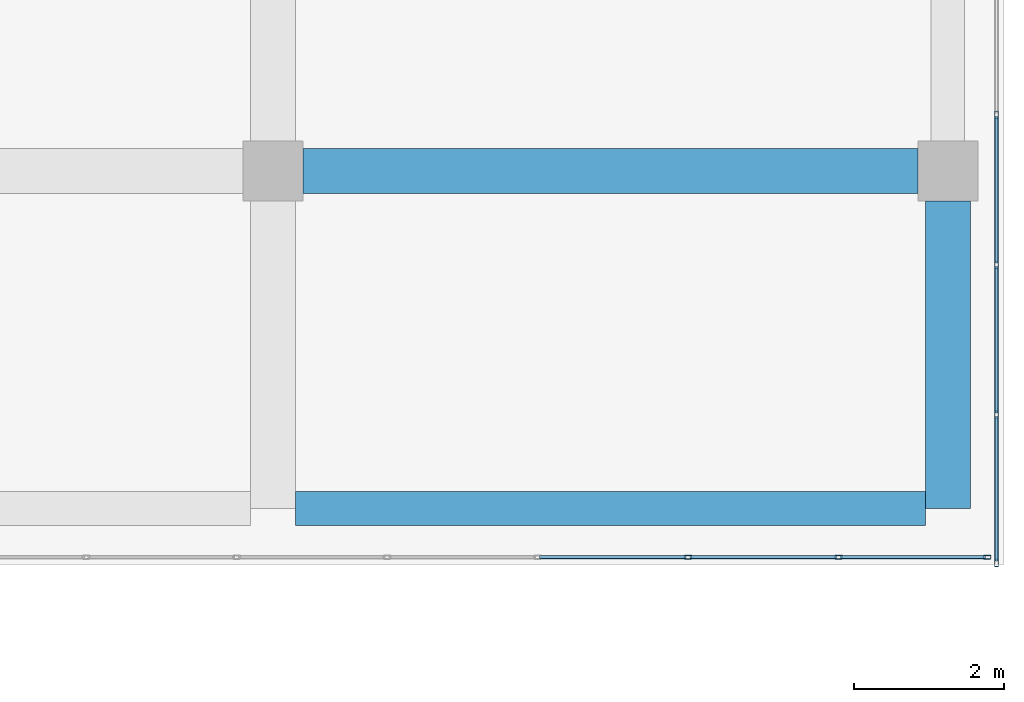
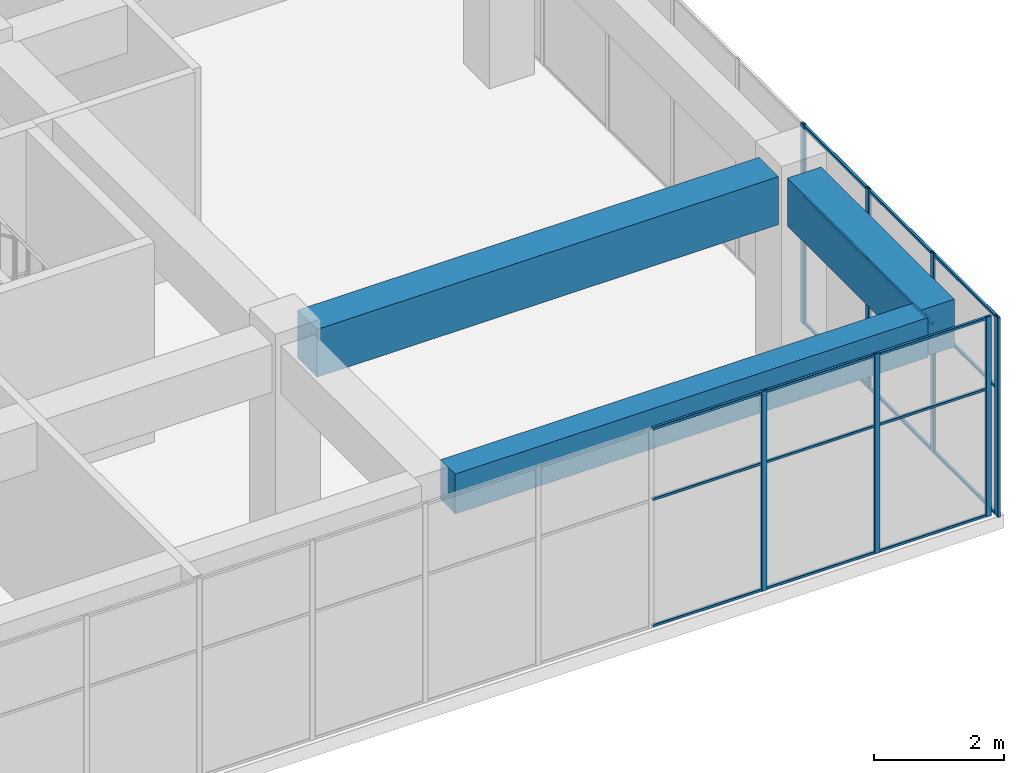
# One storey, part 37 of 66: 25 members, 3 beams, 2 elements without a shape of their own.
"""IFC4 building model written with IfcOpenShell, lengths in metres."""

from ifc_helpers import new_model, si_unit, direction, frame, origin, origin_2d, place, context, subcontext, project, spatial, rectangle, hollow_rectangle, extrude, material, layer, layer_set, material_profile, profile_set, type_object, element, aggregate, save


model = new_model("IFC4")

# Units and contexts
model_context = context("Model", 3, precision=1e-05, world=origin(), true_north=direction((0.0, 1.0)))
body_context = subcontext(model_context, "Body", "Model", "MODEL_VIEW")
ifc_project = project(units=[si_unit("LENGTHUNIT", "METRE"), si_unit("AREAUNIT", "SQUARE_METRE"), si_unit("VOLUMEUNIT", "CUBIC_METRE"), si_unit("PLANEANGLEUNIT", "RADIAN"), si_unit("MASSUNIT", "GRAM", prefix="KILO")], contexts=[model_context])

# Site, building, storey
site_placement = place(None, origin())
site = spatial("IfcSite", under=ifc_project, at=site_placement, CompositionType="ELEMENT")
building_placement = place(site_placement, origin())
building = spatial("IfcBuilding", under=site, at=building_placement, Name="Tuart Plaza Theatre", CompositionType="ELEMENT")
storey_placement = place(building_placement, frame((0.0, 0.0, 5.5)))
storey = spatial("IfcBuildingStorey", under=building, at=storey_placement, Name="L01", CompositionType="ELEMENT", Elevation=5.5)

# Beams
ifc_material_1 = material(Name="Concrete N40 (40 MPa)", Category="concrete")
ifc_material_profile_1 = material_profile(ifc_material_1, rectangle(XDim=0.449951171875, YDim=0.75, at=origin_2d()), Name="BEAM 450x750 Concrete N40 (40 MPa)")
ifc_profile_set_1 = profile_set([ifc_material_profile_1], Name="Concrete N40 (40 MPa)")
beam_type_1 = type_object("IfcBeamType", Name="BEAM 450x750 Concrete N40 (40 MPa)", PredefinedType="BEAM", material=ifc_profile_set_1)
beam_1_placement = place(storey_placement, frame((141.300048828125, 51.5, 3.375), z_axis=(1.0, 0.0, 0.0), x_axis=(0.0, 1.0, 0.0)))
element("IfcBeam", 1, at=beam_1_placement, inside=storey, type_object=beam_type_1, Name="RB189", PredefinedType="BEAM", context=body_context, shape_type="SweptSolid", body=[
    extrude(rectangle(XDim=0.449951171875, YDim=0.75, at=origin_2d()), origin(), (0.0, 0.0, 1.0), 8.39990234375),
])
ifc_material_2 = material(Name="Concrete N40 (40 MPa)", Category="concrete")
ifc_material_profile_2 = material_profile(ifc_material_2, rectangle(XDim=0.60009765625, YDim=0.89990234375, at=origin_2d()), Name="BEAM 600x900 Concrete N40 (40 MPa)")
ifc_profile_set_2 = profile_set([ifc_material_profile_2], Name="Concrete N40 (40 MPa)")
beam_type_2 = type_object("IfcBeamType", Name="BEAM 600x900 Concrete N40 (40 MPa)", PredefinedType="BEAM", material=ifc_profile_set_2)
beam_2_placement = place(storey_placement, frame((141.39990234375, 56.0, 3.300048828125), z_axis=(1.0, 0.0, 0.0), x_axis=(0.0, 1.0, 0.0)))
element("IfcBeam", 2, at=beam_2_placement, inside=storey, type_object=beam_type_2, Name="RB191", PredefinedType="BEAM", context=body_context, shape_type="SweptSolid", body=[
    extrude(rectangle(XDim=0.60009765625, YDim=0.89990234375, at=origin_2d()), origin(), (0.0, 0.0, 1.0), 8.2001953125),
])
beam_3_placement = place(storey_placement, frame((150.0, 51.5, 3.300048828125), z_axis=(0.0, 1.0, 0.0), x_axis=(-1.0, 0.0, 0.0)))
element("IfcBeam", 3, at=beam_3_placement, inside=storey, type_object=beam_type_2, Name="RB197", PredefinedType="BEAM", context=body_context, shape_type="SweptSolid", body=[
    extrude(rectangle(XDim=0.60009765625, YDim=0.89990234375, at=origin_2d()), origin(), (0.0, 0.0, 1.0), 4.10009765625),
])

# Curtain wall, members
ifc_material_3 = material(Name="Aluminium and glass", Category="aluminium")
ifc_layer = layer(ifc_material_3, 0.10009765625)
ifc_layer_set = layer_set([ifc_layer], Name="CURTAIN WALL 2000 module")
curtain_wall_type = type_object("IfcCurtainWallType", Name="CURTAIN WALL 2000 module", PredefinedType="NOTDEFINED", material=ifc_layer_set)
curtain_wall_1_placement = place(storey_placement, origin())
curtain_wall_1 = element("IfcCurtainWall", 4, at=curtain_wall_1_placement, inside=storey, type_object=curtain_wall_type, Name="CW68", PredefinedType="NOTDEFINED")
ifc_material_4 = material(Name="Aluminium 6063-T5", Category="aluminium")
ifc_material_profile_3 = material_profile(ifc_material_4, hollow_rectangle(XDim=0.050048828125, YDim=0.10009765625, WallThickness=0.00390625, InnerFilletRadius=0.00390625, OuterFilletRadius=0.008056640625, at=origin_2d()), Name="RHS 100x50x4")
ifc_profile_set_3 = profile_set([ifc_material_profile_3], Name="Aluminium 6063-T5")
member_type_1 = type_object("IfcMemberType", Name="MULLION RHS 100x50x4", PredefinedType="MULLION", material=ifc_profile_set_3)
member_1_placement = place(storey_placement, frame((146.53564453125, 50.85009765625, 0.0), z_axis=(0.0, 0.0, 1.0), x_axis=(0.0, 1.0, 0.0)))
member_1 = element("IfcMember", 5, at=member_1_placement, type_object=member_type_1, Name="CW68 mullion 13", PredefinedType="MULLION", context=body_context, shape_type="SweptSolid", body=[
    extrude(hollow_rectangle(XDim=0.050048828125, YDim=0.10009765625, WallThickness=0.00390625, InnerFilletRadius=0.00390625, OuterFilletRadius=0.008056640625, at=origin_2d()), origin(), (0.0, 0.0, 1.0), 3.75),
])
member_2_placement = place(storey_placement, frame((148.54296875, 50.85009765625, 0.0), z_axis=(0.0, 0.0, 1.0), x_axis=(0.0, 1.0, 0.0)))
member_2 = element("IfcMember", 6, at=member_2_placement, type_object=member_type_1, Name="CW68 mullion 14", PredefinedType="MULLION", context=body_context, shape_type="SweptSolid", body=[
    extrude(hollow_rectangle(XDim=0.050048828125, YDim=0.10009765625, WallThickness=0.00390625, InnerFilletRadius=0.00390625, OuterFilletRadius=0.008056640625, at=origin_2d()), origin(), (0.0, 0.0, 1.0), 3.75),
])
member_3_placement = place(storey_placement, frame((150.52490234375, 50.85009765625, 0.0), z_axis=(0.0, 0.0, 1.0), x_axis=(0.0, 1.0, 0.0)))
member_3 = element("IfcMember", 7, at=member_3_placement, type_object=member_type_1, Name="CW68 mullion 15", PredefinedType="MULLION", context=body_context, shape_type="SweptSolid", body=[
    extrude(hollow_rectangle(XDim=0.050048828125, YDim=0.10009765625, WallThickness=0.00390625, InnerFilletRadius=0.00390625, OuterFilletRadius=0.008056640625, at=origin_2d()), origin(), (0.0, 0.0, 1.0), 3.75),
])

curtain_wall_2_placement = place(storey_placement, origin())
curtain_wall_2 = element("IfcCurtainWall", 8, at=curtain_wall_2_placement, inside=storey, type_object=curtain_wall_type, Name="CW69", PredefinedType="NOTDEFINED")
member_4_placement = place(storey_placement, frame((150.64990234375, 50.77490234375, 0.0), z_axis=(0.0, 0.0, 1.0), x_axis=(-1.0, 0.0, 0.0)))
member_4 = element("IfcMember", 9, at=member_4_placement, type_object=member_type_1, Name="CW69 mullion 1", PredefinedType="MULLION", context=body_context, shape_type="SweptSolid", body=[
    extrude(hollow_rectangle(XDim=0.050048828125, YDim=0.10009765625, WallThickness=0.00390625, InnerFilletRadius=0.00390625, OuterFilletRadius=0.008056640625, at=origin_2d()), origin(), (0.0, 0.0, 1.0), 3.75),
])
member_5_placement = place(storey_placement, frame((150.64990234375, 52.75, 0.0), z_axis=(0.0, 0.0, 1.0), x_axis=(-1.0, 0.0, 0.0)))
member_5 = element("IfcMember", 10, at=member_5_placement, type_object=member_type_1, Name="CW69 mullion 2", PredefinedType="MULLION", context=body_context, shape_type="SweptSolid", body=[
    extrude(hollow_rectangle(XDim=0.050048828125, YDim=0.10009765625, WallThickness=0.00390625, InnerFilletRadius=0.00390625, OuterFilletRadius=0.008056640625, at=origin_2d()), origin(), (0.0, 0.0, 1.0), 3.75),
])
member_6_placement = place(storey_placement, frame((150.64990234375, 54.75, 0.0), z_axis=(0.0, 0.0, 1.0), x_axis=(-1.0, 0.0, 0.0)))
member_6 = element("IfcMember", 11, at=member_6_placement, type_object=member_type_1, Name="CW69 mullion 3", PredefinedType="MULLION", context=body_context, shape_type="SweptSolid", body=[
    extrude(hollow_rectangle(XDim=0.050048828125, YDim=0.10009765625, WallThickness=0.00390625, InnerFilletRadius=0.00390625, OuterFilletRadius=0.008056640625, at=origin_2d()), origin(), (0.0, 0.0, 1.0), 3.75),
])
member_7_placement = place(storey_placement, frame((150.64990234375, 56.75, 0.0), z_axis=(0.0, 0.0, 1.0), x_axis=(-1.0, 0.0, 0.0)))
member_7 = element("IfcMember", 12, at=member_7_placement, type_object=member_type_1, Name="CW69 mullion 4", PredefinedType="MULLION", context=body_context, shape_type="SweptSolid", body=[
    extrude(hollow_rectangle(XDim=0.050048828125, YDim=0.10009765625, WallThickness=0.00390625, InnerFilletRadius=0.00390625, OuterFilletRadius=0.008056640625, at=origin_2d()), origin(), (0.0, 0.0, 1.0), 3.75),
])

# Member
ifc_material_5 = material(Name="Aluminium 6063-T5", Category="aluminium")
ifc_material_profile_4 = material_profile(ifc_material_5, hollow_rectangle(XDim=0.050048828125, YDim=0.050048828125, WallThickness=0.00390625, InnerFilletRadius=0.00390625, OuterFilletRadius=0.008056640625, at=origin_2d()), Name="RHS 50x50x4")
ifc_profile_set_4 = profile_set([ifc_material_profile_4], Name="Aluminium 6063-T5")
member_type_2 = type_object("IfcMemberType", Name="TRANSOM RHS 50x50x4", PredefinedType="USERDEFINED", material=ifc_profile_set_4)
member_8_placement = place(storey_placement, frame((144.553466796875, 50.85009765625, 0.02490234375), z_axis=(1.0, 0.0, 0.0), x_axis=(0.0, 1.0, 0.0)))
member_8 = element("IfcMember", 13, at=member_8_placement, type_object=member_type_2, Name="CW68 transom 12.1", ObjectType="TRANSOM", PredefinedType="USERDEFINED", context=body_context, shape_type="SweptSolid", body=[
    extrude(hollow_rectangle(XDim=0.050048828125, YDim=0.050048828125, WallThickness=0.00390625, InnerFilletRadius=0.00390625, OuterFilletRadius=0.008056640625, at=origin_2d()), origin(), (0.0, 0.0, 1.0), 1.957275390625),
])

member_9_placement = place(storey_placement, frame((144.553466796875, 50.85009765625, 2.39990234375), z_axis=(1.0, 0.0, 0.0), x_axis=(0.0, 1.0, 0.0)))
member_9 = element("IfcMember", 14, at=member_9_placement, type_object=member_type_2, Name="CW68 transom 12.2", ObjectType="TRANSOM", PredefinedType="USERDEFINED", context=body_context, shape_type="SweptSolid", body=[
    extrude(hollow_rectangle(XDim=0.050048828125, YDim=0.050048828125, WallThickness=0.00390625, InnerFilletRadius=0.00390625, OuterFilletRadius=0.008056640625, at=origin_2d()), origin(), (0.0, 0.0, 1.0), 1.957275390625),
])

member_10_placement = place(storey_placement, frame((144.553466796875, 50.85009765625, 3.72509765625), z_axis=(1.0, 0.0, 0.0), x_axis=(0.0, 1.0, 0.0)))
member_10 = element("IfcMember", 15, at=member_10_placement, type_object=member_type_2, Name="CW68 transom 12.3", ObjectType="TRANSOM", PredefinedType="USERDEFINED", context=body_context, shape_type="SweptSolid", body=[
    extrude(hollow_rectangle(XDim=0.050048828125, YDim=0.050048828125, WallThickness=0.00390625, InnerFilletRadius=0.00390625, OuterFilletRadius=0.008056640625, at=origin_2d()), origin(), (0.0, 0.0, 1.0), 1.957275390625),
])

member_11_placement = place(storey_placement, frame((146.560791015625, 50.85009765625, 0.02490234375), z_axis=(1.0, 0.0, 0.0), x_axis=(0.0, 1.0, 0.0)))
member_11 = element("IfcMember", 16, at=member_11_placement, type_object=member_type_2, Name="CW68 transom 13.1", ObjectType="TRANSOM", PredefinedType="USERDEFINED", context=body_context, shape_type="SweptSolid", body=[
    extrude(hollow_rectangle(XDim=0.050048828125, YDim=0.050048828125, WallThickness=0.00390625, InnerFilletRadius=0.00390625, OuterFilletRadius=0.008056640625, at=origin_2d()), origin(), (0.0, 0.0, 1.0), 1.95703125),
])

member_12_placement = place(storey_placement, frame((146.560791015625, 50.85009765625, 2.39990234375), z_axis=(1.0, 0.0, 0.0), x_axis=(0.0, 1.0, 0.0)))
member_12 = element("IfcMember", 17, at=member_12_placement, type_object=member_type_2, Name="CW68 transom 13.2", ObjectType="TRANSOM", PredefinedType="USERDEFINED", context=body_context, shape_type="SweptSolid", body=[
    extrude(hollow_rectangle(XDim=0.050048828125, YDim=0.050048828125, WallThickness=0.00390625, InnerFilletRadius=0.00390625, OuterFilletRadius=0.008056640625, at=origin_2d()), origin(), (0.0, 0.0, 1.0), 1.95703125),
])

member_13_placement = place(storey_placement, frame((146.560791015625, 50.85009765625, 3.72509765625), z_axis=(1.0, 0.0, 0.0), x_axis=(0.0, 1.0, 0.0)))
member_13 = element("IfcMember", 18, at=member_13_placement, type_object=member_type_2, Name="CW68 transom 13.3", ObjectType="TRANSOM", PredefinedType="USERDEFINED", context=body_context, shape_type="SweptSolid", body=[
    extrude(hollow_rectangle(XDim=0.050048828125, YDim=0.050048828125, WallThickness=0.00390625, InnerFilletRadius=0.00390625, OuterFilletRadius=0.008056640625, at=origin_2d()), origin(), (0.0, 0.0, 1.0), 1.95703125),
])

member_14_placement = place(storey_placement, frame((148.56787109375, 50.85009765625, 0.02490234375), z_axis=(1.0, 0.0, 0.0), x_axis=(0.0, 1.0, 0.0)))
member_14 = element("IfcMember", 19, at=member_14_placement, type_object=member_type_2, Name="CW68 transom 14.1", ObjectType="TRANSOM", PredefinedType="USERDEFINED", context=body_context, shape_type="SweptSolid", body=[
    extrude(hollow_rectangle(XDim=0.050048828125, YDim=0.050048828125, WallThickness=0.00390625, InnerFilletRadius=0.00390625, OuterFilletRadius=0.008056640625, at=origin_2d()), origin(), (0.0, 0.0, 1.0), 1.93212890625),
])

member_15_placement = place(storey_placement, frame((148.56787109375, 50.85009765625, 2.39990234375), z_axis=(1.0, 0.0, 0.0), x_axis=(0.0, 1.0, 0.0)))
member_15 = element("IfcMember", 20, at=member_15_placement, type_object=member_type_2, Name="CW68 transom 14.2", ObjectType="TRANSOM", PredefinedType="USERDEFINED", context=body_context, shape_type="SweptSolid", body=[
    extrude(hollow_rectangle(XDim=0.050048828125, YDim=0.050048828125, WallThickness=0.00390625, InnerFilletRadius=0.00390625, OuterFilletRadius=0.008056640625, at=origin_2d()), origin(), (0.0, 0.0, 1.0), 1.93212890625),
])

member_16_placement = place(storey_placement, frame((148.56787109375, 50.85009765625, 3.72509765625), z_axis=(1.0, 0.0, 0.0), x_axis=(0.0, 1.0, 0.0)))
member_16 = element("IfcMember", 21, at=member_16_placement, type_object=member_type_2, Name="CW68 transom 14.3", ObjectType="TRANSOM", PredefinedType="USERDEFINED", context=body_context, shape_type="SweptSolid", body=[
    extrude(hollow_rectangle(XDim=0.050048828125, YDim=0.050048828125, WallThickness=0.00390625, InnerFilletRadius=0.00390625, OuterFilletRadius=0.008056640625, at=origin_2d()), origin(), (0.0, 0.0, 1.0), 1.93212890625),
])

aggregate(curtain_wall_1, [member_1, member_2, member_3, member_8, member_9, member_10, member_11, member_12, member_13, member_14, member_15, member_16])

member_17_placement = place(storey_placement, frame((150.64990234375, 50.800048828125, 0.02490234375), z_axis=(0.0, 1.0, 0.0), x_axis=(-1.0, 0.0, 0.0)))
member_17 = element("IfcMember", 22, at=member_17_placement, type_object=member_type_2, Name="CW69 transom 1.1", ObjectType="TRANSOM", PredefinedType="USERDEFINED", context=body_context, shape_type="SweptSolid", body=[
    extrude(hollow_rectangle(XDim=0.050048828125, YDim=0.050048828125, WallThickness=0.00390625, InnerFilletRadius=0.00390625, OuterFilletRadius=0.008056640625, at=origin_2d()), origin(), (0.0, 0.0, 1.0), 1.925048828125),
])

member_18_placement = place(storey_placement, frame((150.64990234375, 50.800048828125, 2.39990234375), z_axis=(0.0, 1.0, 0.0), x_axis=(-1.0, 0.0, 0.0)))
member_18 = element("IfcMember", 23, at=member_18_placement, type_object=member_type_2, Name="CW69 transom 1.2", ObjectType="TRANSOM", PredefinedType="USERDEFINED", context=body_context, shape_type="SweptSolid", body=[
    extrude(hollow_rectangle(XDim=0.050048828125, YDim=0.050048828125, WallThickness=0.00390625, InnerFilletRadius=0.00390625, OuterFilletRadius=0.008056640625, at=origin_2d()), origin(), (0.0, 0.0, 1.0), 1.925048828125),
])

member_19_placement = place(storey_placement, frame((150.64990234375, 50.800048828125, 3.72509765625), z_axis=(0.0, 1.0, 0.0), x_axis=(-1.0, 0.0, 0.0)))
member_19 = element("IfcMember", 24, at=member_19_placement, type_object=member_type_2, Name="CW69 transom 1.3", ObjectType="TRANSOM", PredefinedType="USERDEFINED", context=body_context, shape_type="SweptSolid", body=[
    extrude(hollow_rectangle(XDim=0.050048828125, YDim=0.050048828125, WallThickness=0.00390625, InnerFilletRadius=0.00390625, OuterFilletRadius=0.008056640625, at=origin_2d()), origin(), (0.0, 0.0, 1.0), 1.925048828125),
])

member_20_placement = place(storey_placement, frame((150.64990234375, 52.77490234375, 0.02490234375), z_axis=(0.0, 1.0, 0.0), x_axis=(-1.0, 0.0, 0.0)))
member_20 = element("IfcMember", 25, at=member_20_placement, type_object=member_type_2, Name="CW69 transom 2.1", ObjectType="TRANSOM", PredefinedType="USERDEFINED", context=body_context, shape_type="SweptSolid", body=[
    extrude(hollow_rectangle(XDim=0.050048828125, YDim=0.050048828125, WallThickness=0.00390625, InnerFilletRadius=0.00390625, OuterFilletRadius=0.008056640625, at=origin_2d()), origin(), (0.0, 0.0, 1.0), 1.9501953125),
])

member_21_placement = place(storey_placement, frame((150.64990234375, 52.77490234375, 2.39990234375), z_axis=(0.0, 1.0, 0.0), x_axis=(-1.0, 0.0, 0.0)))
member_21 = element("IfcMember", 26, at=member_21_placement, type_object=member_type_2, Name="CW69 transom 2.2", ObjectType="TRANSOM", PredefinedType="USERDEFINED", context=body_context, shape_type="SweptSolid", body=[
    extrude(hollow_rectangle(XDim=0.050048828125, YDim=0.050048828125, WallThickness=0.00390625, InnerFilletRadius=0.00390625, OuterFilletRadius=0.008056640625, at=origin_2d()), origin(), (0.0, 0.0, 1.0), 1.9501953125),
])

member_22_placement = place(storey_placement, frame((150.64990234375, 52.77490234375, 3.72509765625), z_axis=(0.0, 1.0, 0.0), x_axis=(-1.0, 0.0, 0.0)))
member_22 = element("IfcMember", 27, at=member_22_placement, type_object=member_type_2, Name="CW69 transom 2.3", ObjectType="TRANSOM", PredefinedType="USERDEFINED", context=body_context, shape_type="SweptSolid", body=[
    extrude(hollow_rectangle(XDim=0.050048828125, YDim=0.050048828125, WallThickness=0.00390625, InnerFilletRadius=0.00390625, OuterFilletRadius=0.008056640625, at=origin_2d()), origin(), (0.0, 0.0, 1.0), 1.9501953125),
])

member_23_placement = place(storey_placement, frame((150.64990234375, 54.77490234375, 0.02490234375), z_axis=(0.0, 1.0, 0.0), x_axis=(-1.0, 0.0, 0.0)))
member_23 = element("IfcMember", 28, at=member_23_placement, type_object=member_type_2, Name="CW69 transom 3.1", ObjectType="TRANSOM", PredefinedType="USERDEFINED", context=body_context, shape_type="SweptSolid", body=[
    extrude(hollow_rectangle(XDim=0.050048828125, YDim=0.050048828125, WallThickness=0.00390625, InnerFilletRadius=0.00390625, OuterFilletRadius=0.008056640625, at=origin_2d()), origin(), (0.0, 0.0, 1.0), 1.9501953125),
])

member_24_placement = place(storey_placement, frame((150.64990234375, 54.77490234375, 2.39990234375), z_axis=(0.0, 1.0, 0.0), x_axis=(-1.0, 0.0, 0.0)))
member_24 = element("IfcMember", 29, at=member_24_placement, type_object=member_type_2, Name="CW69 transom 3.2", ObjectType="TRANSOM", PredefinedType="USERDEFINED", context=body_context, shape_type="SweptSolid", body=[
    extrude(hollow_rectangle(XDim=0.050048828125, YDim=0.050048828125, WallThickness=0.00390625, InnerFilletRadius=0.00390625, OuterFilletRadius=0.008056640625, at=origin_2d()), origin(), (0.0, 0.0, 1.0), 1.9501953125),
])

member_25_placement = place(storey_placement, frame((150.64990234375, 54.77490234375, 3.72509765625), z_axis=(0.0, 1.0, 0.0), x_axis=(-1.0, 0.0, 0.0)))
member_25 = element("IfcMember", 30, at=member_25_placement, type_object=member_type_2, Name="CW69 transom 3.3", ObjectType="TRANSOM", PredefinedType="USERDEFINED", context=body_context, shape_type="SweptSolid", body=[
    extrude(hollow_rectangle(XDim=0.050048828125, YDim=0.050048828125, WallThickness=0.00390625, InnerFilletRadius=0.00390625, OuterFilletRadius=0.008056640625, at=origin_2d()), origin(), (0.0, 0.0, 1.0), 1.9501953125),
])

aggregate(curtain_wall_2, [member_4, member_5, member_6, member_7, member_17, member_18, member_19, member_20, member_21, member_22, member_23, member_24, member_25])

save(model, "model.ifc")
